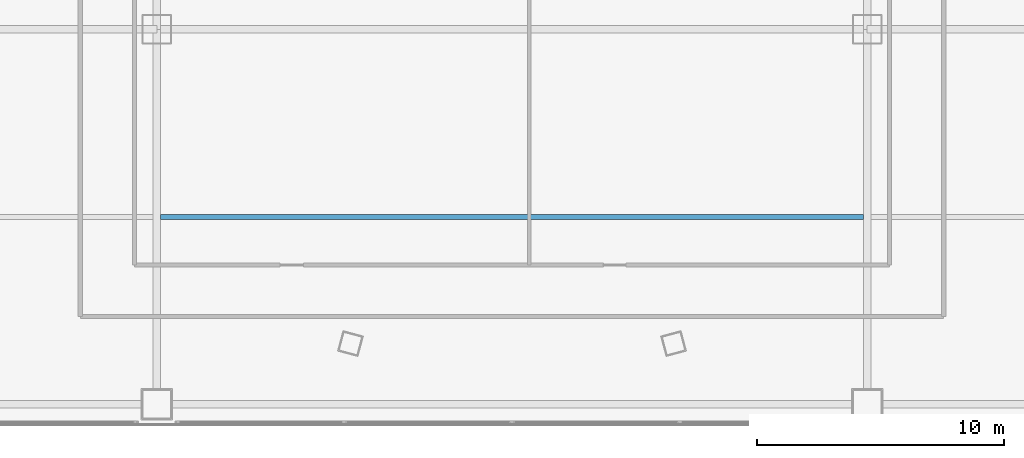
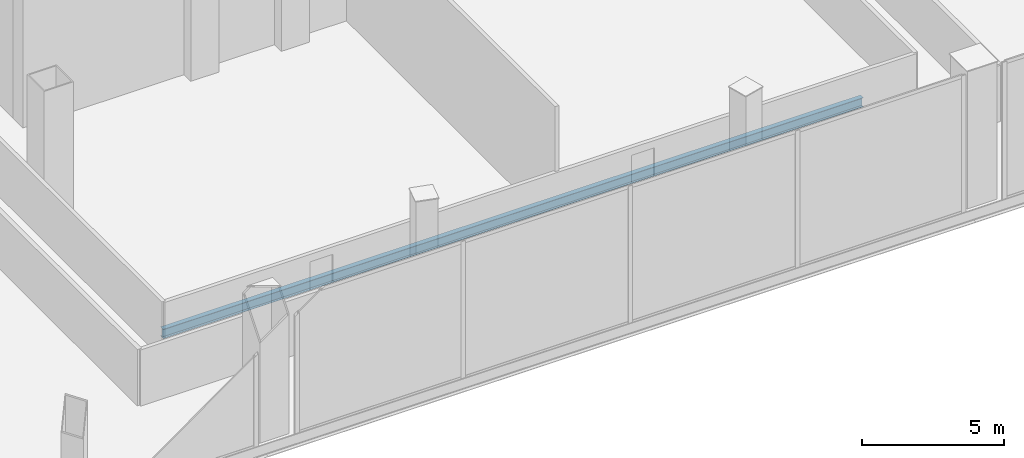
# One storey, part 10 of 41: 1 beam.
"""IFC4 building model written with IfcOpenShell, lengths in metres."""

from ifc_helpers import new_model, si_unit, direction, frame, origin, origin_2d, place, context, subcontext, project, spatial, i_section, extrude, source, transform, mapped, material, material_profile, profile_set, type_object, element, save


model = new_model("IFC4")

# Units and contexts
model_context = context("Model", 3, precision=1e-05, world=origin(), true_north=direction((0.0, 1.0)))
body_context = subcontext(model_context, "Body", "Model", "MODEL_VIEW")
ifc_project = project(units=[si_unit("LENGTHUNIT", "METRE"), si_unit("AREAUNIT", "SQUARE_METRE"), si_unit("VOLUMEUNIT", "CUBIC_METRE"), si_unit("PLANEANGLEUNIT", "RADIAN"), si_unit("MASSUNIT", "GRAM", prefix="KILO"), si_unit("THERMODYNAMICTEMPERATUREUNIT", "KELVIN"), si_unit("POWERUNIT", "WATT")], contexts=[model_context])

# Site, building, storey
site_placement = place(None, origin())
site = spatial("IfcSite", under=ifc_project, at=site_placement, CompositionType="ELEMENT")
building_placement = place(site_placement, origin())
building = spatial("IfcBuilding", under=site, at=building_placement, Name="Yunzhuo Pagoda Commons", CompositionType="ELEMENT")
storey_placement = place(building_placement, frame((0.0, 0.0, 19.199951171875)))
storey = spatial("IfcBuildingStorey", under=building, at=storey_placement, Name="L05", CompositionType="ELEMENT", Elevation=19.199951171875)

# Beam
ifc_material = material(Name="Structural steel Q355B", Category="steel")
ifc_material_profile = material_profile(ifc_material, i_section(OverallWidth=0.199951171875, OverallDepth=0.39990234375, WebThickness=0.008056640625, FlangeThickness=0.012939453125, at=origin_2d()), Name="Structural steel Q355B")
ifc_profile_set = profile_set([ifc_material_profile], Name="Structural steel Q355B")
beam_type = type_object("IfcBeamType", Name="B-JS1 Joist HN 400x200x8x13", PredefinedType="JOIST", material=ifc_profile_set)
shared_shape = source(origin(), body_context, "Body", "SweptSolid", [
    extrude(i_section(OverallWidth=0.199951171875, OverallDepth=0.39990234375, WebThickness=0.008056640625, FlangeThickness=0.012939453125, at=origin_2d()), origin(), (0.0, 0.0, 1.0), 28.490234375),
])
beam_placement = place(storey_placement, frame((33.7548828125, 14.39990234375, -0.47998046875), z_axis=(1.0, 0.0, 0.0), x_axis=(0.0, 1.0, 0.0)))
element("IfcBeam", 1, at=beam_placement, inside=storey, type_object=beam_type, Name="L05 podium composite joist 3.1", PredefinedType="JOIST", context=body_context, shape_type="MappedRepresentation", body=[
    mapped(shared_shape, transform((0.0, 0.0, 0.0), scale=1.0)),
])

save(model, "model.ifc")
